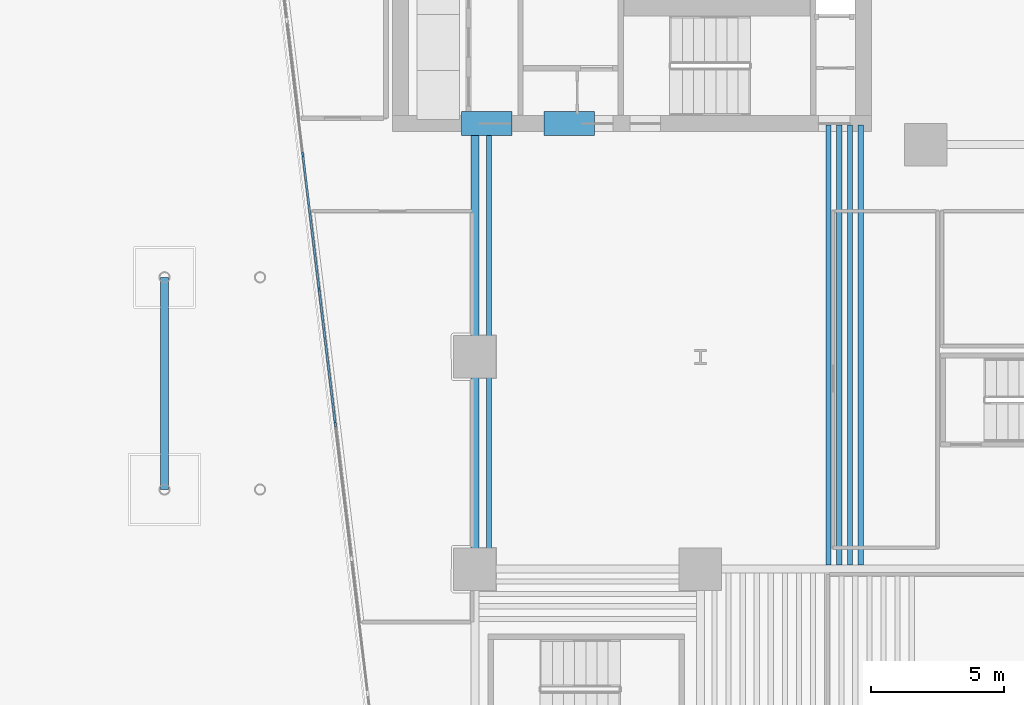
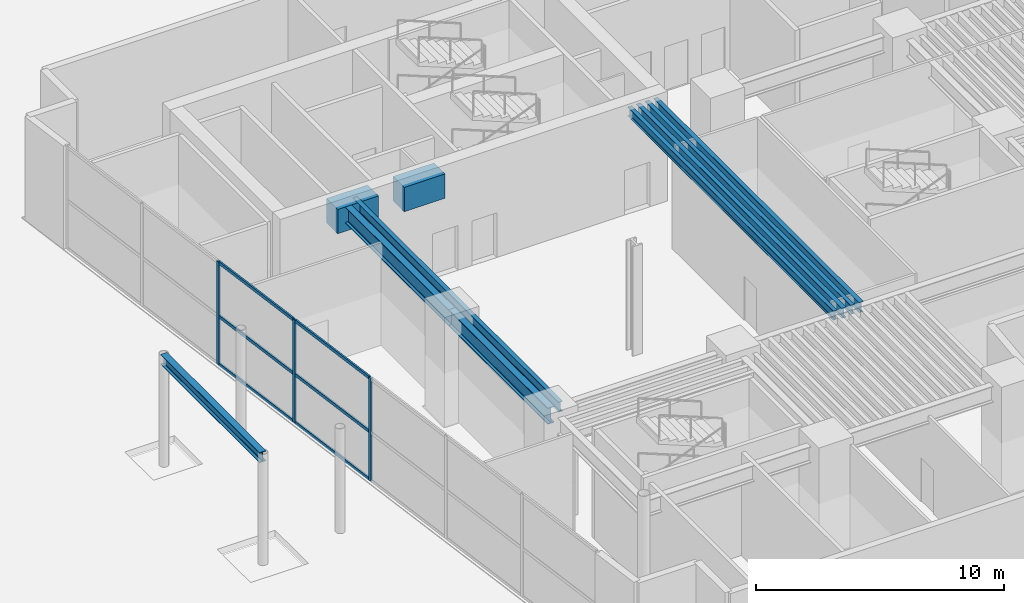
# One storey, part 4 of 18: 10 beams, 9 members, 1 element without a shape of its own.
"""IFC4 building model written with IfcOpenShell, lengths in metres."""

from ifc_helpers import new_model, si_unit, direction, frame, origin, origin_2d, place, context, subcontext, project, spatial, rectangle, i_section, extrude, material, layer, layer_set, material_profile, profile_set, type_object, element, aggregate, save


model = new_model("IFC4")

# Units and contexts
model_context = context("Model", 3, precision=1e-05, world=origin(), true_north=direction((0.0, 1.0)))
body_context = subcontext(model_context, "Body", "Model", "MODEL_VIEW")
ifc_project = project(units=[si_unit("LENGTHUNIT", "METRE"), si_unit("AREAUNIT", "SQUARE_METRE"), si_unit("VOLUMEUNIT", "CUBIC_METRE"), si_unit("PLANEANGLEUNIT", "RADIAN"), si_unit("MASSUNIT", "GRAM", prefix="KILO")], contexts=[model_context])

# Site, building, storey
site_placement = place(None, origin())
site = spatial("IfcSite", under=ifc_project, at=site_placement, CompositionType="ELEMENT")
building_placement = place(site_placement, origin())
building = spatial("IfcBuilding", under=site, at=building_placement, Name="Caeloran Harvest Quay", CompositionType="ELEMENT")
storey_placement = place(building_placement, origin())
storey = spatial("IfcBuildingStorey", under=building, at=storey_placement, Name="L01", CompositionType="ELEMENT", Elevation=0.0)

# Beams
ifc_material_1 = material(Name="Concrete C80/95", Category="concrete")
ifc_material_profile_1 = material_profile(ifc_material_1, rectangle(XDim=0.89990234375, YDim=1.199951171875, at=origin_2d()), Name="RC 900x1200")
ifc_profile_set_1 = profile_set([ifc_material_profile_1], Name="Concrete C80/95")
beam_type_1 = type_object("IfcBeamType", Name="BM-CB-1-RC_900x1200", PredefinedType="LINTEL", material=ifc_profile_set_1)
for number, where, z_axis, x_axis, name in (
    (1, (8.0, 31.800048828125, 4.47998046875), (1.0, 0.0, 0.0), (0.0, 1.0, 0.0), "L01 Core Coupling Beam 1"),
    (2, (11.10009765625, 31.800048828125, 4.47998046875), (1.0, 0.0, 0.0), (0.0, 1.0, 0.0), "L01 Core Coupling Beam 2"),
):
    element("IfcBeam", number, at=place(storey_placement, frame(where, z_axis=z_axis, x_axis=x_axis)), inside=storey, type_object=beam_type_1, Name=name, PredefinedType="LINTEL", context=body_context, shape_type="SweptSolid", body=[
        extrude(rectangle(XDim=0.89990234375, YDim=1.199951171875, at=origin_2d()), origin(), (0.0, 0.0, 1.0), 1.89990234375),
    ])
ifc_material_2 = material(Name="Steel S355J2", Category="steel")
ifc_material_profile_2 = material_profile(ifc_material_2, i_section(OverallWidth=0.300048828125, OverallDepth=0.800048828125, WebThickness=0.017578125, FlangeThickness=0.032958984375, FilletRadius=0.030029296875, at=origin_2d()), Name="HE 800 B")
ifc_profile_set_2 = profile_set([ifc_material_profile_2], Name="Steel S355J2")
beam_type_2 = type_object("IfcBeamType", Name="BM-PG-1-HE_800_B", PredefinedType="BEAM", material=ifc_profile_set_2)
beam_1_placement = place(storey_placement, frame((8.5, 15.0, 4.679931640625), z_axis=(0.0, 1.0, 0.0), x_axis=(-1.0, 0.0, 0.0)))
element("IfcBeam", 3, at=beam_1_placement, inside=storey, type_object=beam_type_2, Name="L01 Primary North-South Girder X=8.5", PredefinedType="BEAM", context=body_context, shape_type="SweptSolid", body=[
    extrude(i_section(OverallWidth=0.300048828125, OverallDepth=0.800048828125, WebThickness=0.017578125, FlangeThickness=0.032958984375, FilletRadius=0.030029296875, at=origin_2d()), origin(), (0.0, 0.0, 1.0), 8.0),
])
beam_2_placement = place(storey_placement, frame((8.5, 23.0, 4.679931640625), z_axis=(0.0, 1.0, 0.0), x_axis=(-1.0, 0.0, 0.0)))
element("IfcBeam", 4, at=beam_2_placement, inside=storey, type_object=beam_type_2, Name="L01 Core South Tie Girder X=8.5", PredefinedType="BEAM", context=body_context, shape_type="SweptSolid", body=[
    extrude(i_section(OverallWidth=0.300048828125, OverallDepth=0.800048828125, WebThickness=0.017578125, FlangeThickness=0.032958984375, FilletRadius=0.030029296875, at=origin_2d()), origin(), (0.0, 0.0, 1.0), 8.75),
])
ifc_material_profile_3 = material_profile(ifc_material_2, i_section(OverallWidth=0.300048828125, OverallDepth=0.5, WebThickness=0.014404296875, FlangeThickness=0.028076171875, FilletRadius=0.027099609375, at=origin_2d()), Name="HE 500 B")
ifc_profile_set_3 = profile_set([ifc_material_profile_3], Name="Steel S355J2")
beam_type_3 = type_object("IfcBeamType", Name="BM-PG-4-HE_500_B", PredefinedType="BEAM", material=ifc_profile_set_3)
beam_3_placement = place(storey_placement, frame((-3.199951171875, 18.0, 4.909912109375), z_axis=(0.0, 1.0, 0.0), x_axis=(-1.0, 0.0, 0.0)))
element("IfcBeam", 5, at=beam_3_placement, inside=storey, type_object=beam_type_3, Name="Waterfront Entrance Canopy Edge Beam", PredefinedType="BEAM", context=body_context, shape_type="SweptSolid", body=[
    extrude(i_section(OverallWidth=0.300048828125, OverallDepth=0.5, WebThickness=0.014404296875, FlangeThickness=0.028076171875, FilletRadius=0.027099609375, at=origin_2d()), origin(), (0.0, 0.0, 1.0), 8.0),
])
ifc_material_profile_4 = material_profile(ifc_material_2, i_section(OverallWidth=0.199951171875, OverallDepth=0.5, WebThickness=0.01025390625, FlangeThickness=0.01611328125, FilletRadius=0.02099609375, at=origin_2d()), Name="IPE 500")
ifc_profile_set_4 = profile_set([ifc_material_profile_4], Name="Steel S355J2")
beam_type_4 = type_object("IfcBeamType", Name="BM-SB-2-IPE_500", PredefinedType="JOIST", material=ifc_profile_set_4)
for number, where, z_axis, x_axis, name in (
    (6, (9.03125, 15.14501953125, 4.830078125), (0.0, 1.0, 0.0), (-1.0, 0.0, 0.0), "L01 Secondary Composite Joist"),
    (7, (22.240478515625, 15.14501953125, 4.830078125), (0.0, 1.0, 0.0), (-1.0, 0.0, 0.0), "L01 Secondary Composite Joist"),
    (8, (23.046875, 15.14501953125, 4.830078125), (0.0, 1.0, 0.0), (-1.0, 0.0, 0.0), "L01 Secondary Composite Joist"),
):
    element("IfcBeam", number, at=place(storey_placement, frame(where, z_axis=z_axis, x_axis=x_axis)), inside=storey, type_object=beam_type_4, Name=name, PredefinedType="JOIST", context=body_context, shape_type="SweptSolid", body=[
        extrude(i_section(OverallWidth=0.199951171875, OverallDepth=0.5, WebThickness=0.01025390625, FlangeThickness=0.01611328125, FilletRadius=0.02099609375, at=origin_2d()), origin(), (0.0, 0.0, 1.0), 16.60498046875),
    ])
ifc_material_profile_5 = material_profile(ifc_material_2, i_section(OverallWidth=0.18994140625, OverallDepth=0.449951171875, WebThickness=0.009521484375, FlangeThickness=0.0146484375, FilletRadius=0.02099609375, at=origin_2d()), Name="IPE 450")
ifc_profile_set_5 = profile_set([ifc_material_profile_5], Name="Steel S355J2")
beam_type_5 = type_object("IfcBeamType", Name="BM-SB-3-IPE_450", PredefinedType="JOIST", material=ifc_profile_set_5)
for number, where, z_axis, x_axis, name in (
    (9, (21.83740234375, 15.14501953125, 4.85498046875), (0.0, 1.0, 0.0), (-1.0, 0.0, 0.0), "L01 Secondary Composite Joist"),
    (10, (22.643798828125, 15.14501953125, 4.85498046875), (0.0, 1.0, 0.0), (-1.0, 0.0, 0.0), "L01 Secondary Composite Joist"),
):
    element("IfcBeam", number, at=place(storey_placement, frame(where, z_axis=z_axis, x_axis=x_axis)), inside=storey, type_object=beam_type_5, Name=name, PredefinedType="JOIST", context=body_context, shape_type="SweptSolid", body=[
        extrude(i_section(OverallWidth=0.18994140625, OverallDepth=0.449951171875, WebThickness=0.009521484375, FlangeThickness=0.0146484375, FilletRadius=0.02099609375, at=origin_2d()), origin(), (0.0, 0.0, 1.0), 16.60498046875),
    ])

# Curtain wall, members
ifc_material_3 = material(Name="Aluminium 6063-T6 and Low-E Glazing", Category="aluminium")
ifc_layer = layer(ifc_material_3, 0.179931640625, Name="Aluminium 6063-T6 and Low-E Glazing")
ifc_layer_set = layer_set([ifc_layer], Name="Aluminium 6063-T6 and Low-E Glazing")
curtain_wall_type = type_object("IfcCurtainWallType", Name="CW-SYS-CW-1", PredefinedType="USERDEFINED", material=ifc_layer_set)
curtain_wall_placement = place(storey_placement, origin())
curtain_wall = element("IfcCurtainWall", 11, at=curtain_wall_placement, inside=storey, type_object=curtain_wall_type, Name="L01 Unitised Curtain Wall CW-1 Run 3", ObjectType="CURTAIN_WALL", PredefinedType="USERDEFINED")
ifc_material_4 = material(Name="Aluminium 6063-T6", Category="aluminium")
ifc_material_profile_6 = material_profile(ifc_material_4, rectangle(XDim=0.080078125, YDim=0.179931640625, at=origin_2d()), Name="CW-MULLION-180")
ifc_profile_set_6 = profile_set([ifc_material_profile_6], Name="Aluminium 6063-T6")
member_type_1 = type_object("IfcMemberType", Name="CW-MULLION-180", PredefinedType="MULLION", material=ifc_profile_set_6)
member_1_placement = place(storey_placement, frame((3.239013671875, 20.463134765625, 0.0), z_axis=(0.0, 0.0, 1.0), x_axis=(-0.992815161093, -0.119658079138, 0.0)))
member_1 = element("IfcMember", 12, at=member_1_placement, type_object=member_type_1, Name="CW-1 mullion 4", PredefinedType="MULLION", context=body_context, shape_type="SweptSolid", body=[
    extrude(rectangle(XDim=0.080078125, YDim=0.179931640625, at=origin_2d()), origin(), (0.0, 0.0, 1.0), 5.080078125),
])
member_2_placement = place(storey_placement, frame((2.62744140625, 25.536865234375, 0.0), z_axis=(0.0, 0.0, 1.0), x_axis=(-0.992815161093, -0.119658079138, 0.0)))
member_2 = element("IfcMember", 13, at=member_2_placement, type_object=member_type_1, Name="CW-1 mullion 5", PredefinedType="MULLION", context=body_context, shape_type="SweptSolid", body=[
    extrude(rectangle(XDim=0.080078125, YDim=0.179931640625, at=origin_2d()), origin(), (0.0, 0.0, 1.0), 5.080078125),
])
member_3_placement = place(storey_placement, frame((2.015869140625, 30.61083984375, 0.0), z_axis=(0.0, 0.0, 1.0), x_axis=(-0.992815161093, -0.119658079138, 0.0)))
member_3 = element("IfcMember", 14, at=member_3_placement, type_object=member_type_1, Name="CW-1 mullion 6", PredefinedType="MULLION", context=body_context, shape_type="SweptSolid", body=[
    extrude(rectangle(XDim=0.080078125, YDim=0.179931640625, at=origin_2d()), origin(), (0.0, 0.0, 1.0), 5.080078125),
])
ifc_material_profile_7 = material_profile(ifc_material_4, rectangle(XDim=0.080078125, YDim=0.14990234375, at=origin_2d()), Name="CW-TRANSOM-150")
ifc_profile_set_7 = profile_set([ifc_material_profile_7], Name="Aluminium 6063-T6")
member_type_2 = type_object("IfcMemberType", Name="CW-TRANSOM-150", PredefinedType="USERDEFINED", material=ifc_profile_set_7)
member_4_placement = place(storey_placement, frame((3.234130859375, 20.502685546875, 0.0400390625), z_axis=(-0.119673362237, 0.992813318994, 0.0), x_axis=(-0.992813318994, -0.119673362237, 0.0)))
member_4 = element("IfcMember", 15, at=member_4_placement, type_object=member_type_2, Name="CW-1 transom 4.1", ObjectType="TRANSOM", PredefinedType="USERDEFINED", context=body_context, shape_type="SweptSolid", body=[
    extrude(rectangle(XDim=0.080078125, YDim=0.14990234375, at=origin_2d()), origin(), (0.0, 0.0, 1.0), 5.03076171875),
])
member_5_placement = place(storey_placement, frame((3.234130859375, 20.502685546875, 2.39990234375), z_axis=(-0.119673362237, 0.992813318994, 0.0), x_axis=(-0.992813318994, -0.119673362237, 0.0)))
member_5 = element("IfcMember", 16, at=member_5_placement, type_object=member_type_2, Name="CW-1 transom 4.2", ObjectType="TRANSOM", PredefinedType="USERDEFINED", context=body_context, shape_type="SweptSolid", body=[
    extrude(rectangle(XDim=0.080078125, YDim=0.14990234375, at=origin_2d()), origin(), (0.0, 0.0, 1.0), 5.03076171875),
])
member_6_placement = place(storey_placement, frame((3.234130859375, 20.502685546875, 5.0400390625), z_axis=(-0.119673362237, 0.992813318994, 0.0), x_axis=(-0.992813318994, -0.119673362237, 0.0)))
member_6 = element("IfcMember", 17, at=member_6_placement, type_object=member_type_2, Name="CW-1 transom 4.3", ObjectType="TRANSOM", PredefinedType="USERDEFINED", context=body_context, shape_type="SweptSolid", body=[
    extrude(rectangle(XDim=0.080078125, YDim=0.14990234375, at=origin_2d()), origin(), (0.0, 0.0, 1.0), 5.03076171875),
])
member_7_placement = place(storey_placement, frame((2.62255859375, 25.57666015625, 0.0400390625), z_axis=(-0.119631291469, 0.992818389284, 0.0), x_axis=(-0.992818389284, -0.119631291469, 0.0)))
member_7 = element("IfcMember", 18, at=member_7_placement, type_object=member_type_2, Name="CW-1 transom 5.1", ObjectType="TRANSOM", PredefinedType="USERDEFINED", context=body_context, shape_type="SweptSolid", body=[
    extrude(rectangle(XDim=0.080078125, YDim=0.14990234375, at=origin_2d()), origin(), (0.0, 0.0, 1.0), 5.030517578125),
])
member_8_placement = place(storey_placement, frame((2.62255859375, 25.57666015625, 2.39990234375), z_axis=(-0.119631291469, 0.992818389284, 0.0), x_axis=(-0.992818389284, -0.119631291469, 0.0)))
member_8 = element("IfcMember", 19, at=member_8_placement, type_object=member_type_2, Name="CW-1 transom 5.2", ObjectType="TRANSOM", PredefinedType="USERDEFINED", context=body_context, shape_type="SweptSolid", body=[
    extrude(rectangle(XDim=0.080078125, YDim=0.14990234375, at=origin_2d()), origin(), (0.0, 0.0, 1.0), 5.030517578125),
])
member_9_placement = place(storey_placement, frame((2.62255859375, 25.57666015625, 5.0400390625), z_axis=(-0.119631291469, 0.992818389284, 0.0), x_axis=(-0.992818389284, -0.119631291469, 0.0)))
member_9 = element("IfcMember", 20, at=member_9_placement, type_object=member_type_2, Name="CW-1 transom 5.3", ObjectType="TRANSOM", PredefinedType="USERDEFINED", context=body_context, shape_type="SweptSolid", body=[
    extrude(rectangle(XDim=0.080078125, YDim=0.14990234375, at=origin_2d()), origin(), (0.0, 0.0, 1.0), 5.030517578125),
])
aggregate(curtain_wall, [member_1, member_2, member_3, member_4, member_5, member_6, member_7, member_8, member_9])

save(model, "model.ifc")
